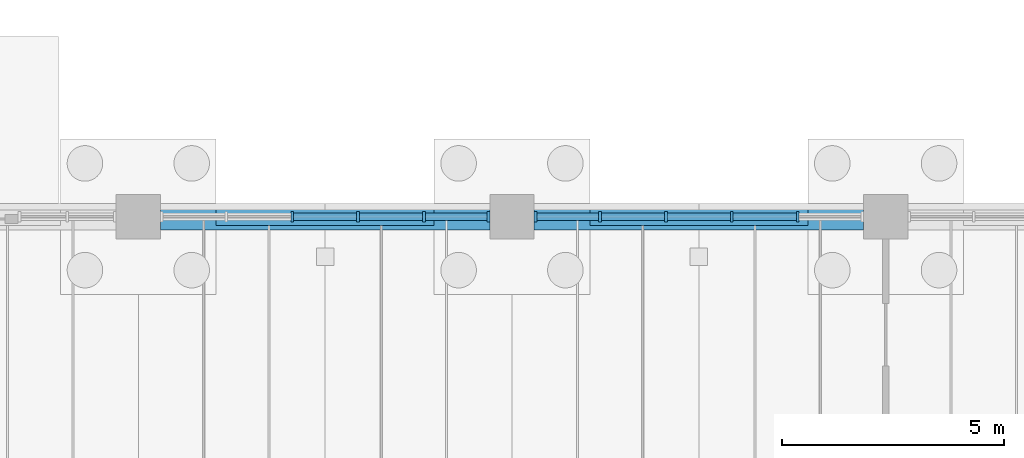
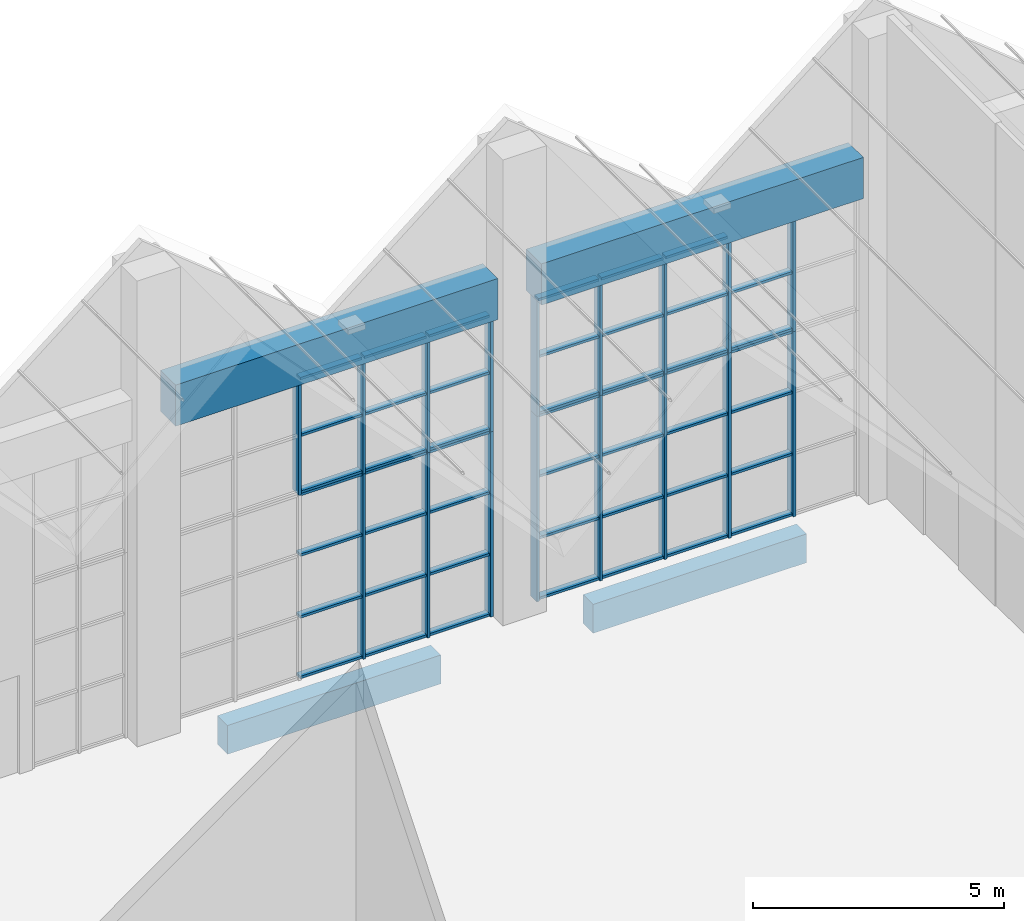
# One storey, part 56 of 138: 65 members, 4 beams, 4 elements without a shape of their own.
"""IFC4 building model written with IfcOpenShell, lengths in metres."""

from ifc_helpers import new_model, si_unit, direction, frame, origin, origin_2d, place, context, subcontext, project, spatial, rectangle, extrude, material, material_profile, profile_set, type_object, element, aggregate, save


model = new_model("IFC4")

# Units and contexts
model_context = context("Model", 3, precision=1e-05, world=origin(), true_north=direction((0.0, 1.0)))
body_context = subcontext(model_context, "Body", "Model", "MODEL_VIEW")
ifc_project = project(units=[si_unit("LENGTHUNIT", "METRE"), si_unit("AREAUNIT", "SQUARE_METRE"), si_unit("VOLUMEUNIT", "CUBIC_METRE"), si_unit("PLANEANGLEUNIT", "RADIAN"), si_unit("MASSUNIT", "GRAM", prefix="KILO")], contexts=[model_context])

# Site, building, storey
site_placement = place(None, origin())
site = spatial("IfcSite", under=ifc_project, at=site_placement, CompositionType="ELEMENT")
building_placement = place(site_placement, origin())
building = spatial("IfcBuilding", under=site, at=building_placement, Name="Yavir Park General Hospital", CompositionType="ELEMENT")
storey_placement = place(building_placement, origin())
storey = spatial("IfcBuildingStorey", under=building, at=storey_placement, Name="L00", CompositionType="ELEMENT", Elevation=0.0)

# Curtain wall, members
ifc_material_1 = material(Name="Aluminium curtain wall frame with insulated glazing", Category="aluminium")
curtain_wall_type_1 = type_object("IfcCurtainWallType", Name="Main hall glazing, lower band, 4500 high, 1400 module", PredefinedType="NOTDEFINED", material=ifc_material_1)
curtain_wall_1_placement = place(storey_placement, origin())
curtain_wall_1 = element("IfcCurtainWall", 1, at=curtain_wall_1_placement, inside=storey, type_object=curtain_wall_type_1, Name="CW33 L00-027", PredefinedType="NOTDEFINED")
ifc_material_2 = material(Name="Aluminium", Category="aluminium")
ifc_material_profile_1 = material_profile(ifc_material_2, rectangle(XDim=0.239990234375, YDim=0.06005859375, at=origin_2d()), Name="AL 60x240")
ifc_profile_set_1 = profile_set([ifc_material_profile_1], Name="Aluminium")
member_type_1 = type_object("IfcMemberType", Name="Main hall glazing, lower band, 4500 high mullion 60 x 240", PredefinedType="MULLION", material=ifc_profile_set_1)
member_1_placement = place(storey_placement, frame((88.93994140625, 67.199951171875, 0.0), z_axis=(0.0, 0.0, 1.0), x_axis=(0.0, 1.0, 0.0)))
member_1 = element("IfcMember", 2, at=member_1_placement, type_object=member_type_1, Name="CW33 mullion 4", PredefinedType="MULLION", context=body_context, shape_type="SweptSolid", body=[
    extrude(rectangle(XDim=0.239990234375, YDim=0.06005859375, at=origin_2d()), origin(), (0.0, 0.0, 1.0), 4.5),
])
member_2_placement = place(storey_placement, frame((90.419921875, 67.199951171875, 0.0), z_axis=(0.0, 0.0, 1.0), x_axis=(0.0, 1.0, 0.0)))
member_2 = element("IfcMember", 3, at=member_2_placement, type_object=member_type_1, Name="CW33 mullion 5", PredefinedType="MULLION", context=body_context, shape_type="SweptSolid", body=[
    extrude(rectangle(XDim=0.239990234375, YDim=0.06005859375, at=origin_2d()), origin(), (0.0, 0.0, 1.0), 4.5),
])
member_3_placement = place(storey_placement, frame((91.8701171875, 67.199951171875, 0.0), z_axis=(0.0, 0.0, 1.0), x_axis=(0.0, 1.0, 0.0)))
member_3 = element("IfcMember", 4, at=member_3_placement, type_object=member_type_1, Name="CW33 mullion 6", PredefinedType="MULLION", context=body_context, shape_type="SweptSolid", body=[
    extrude(rectangle(XDim=0.239990234375, YDim=0.06005859375, at=origin_2d()), origin(), (0.0, 0.0, 1.0), 4.5),
])

curtain_wall_2_placement = place(storey_placement, origin())
curtain_wall_2 = element("IfcCurtainWall", 5, at=curtain_wall_2_placement, inside=storey, type_object=curtain_wall_type_1, Name="CW33 L00-029", PredefinedType="NOTDEFINED")
member_4_placement = place(storey_placement, frame((92.929931640625, 67.199951171875, 0.0), z_axis=(0.0, 0.0, 1.0), x_axis=(0.0, 1.0, 0.0)))
member_4 = element("IfcMember", 6, at=member_4_placement, type_object=member_type_1, Name="CW33 mullion 1", PredefinedType="MULLION", context=body_context, shape_type="SweptSolid", body=[
    extrude(rectangle(XDim=0.239990234375, YDim=0.06005859375, at=origin_2d()), origin(), (0.0, 0.0, 1.0), 4.5),
])
member_5_placement = place(storey_placement, frame((94.3798828125, 67.199951171875, 0.0), z_axis=(0.0, 0.0, 1.0), x_axis=(0.0, 1.0, 0.0)))
member_5 = element("IfcMember", 7, at=member_5_placement, type_object=member_type_1, Name="CW33 mullion 2", PredefinedType="MULLION", context=body_context, shape_type="SweptSolid", body=[
    extrude(rectangle(XDim=0.239990234375, YDim=0.06005859375, at=origin_2d()), origin(), (0.0, 0.0, 1.0), 4.5),
])
member_6_placement = place(storey_placement, frame((95.860107421875, 67.199951171875, 0.0), z_axis=(0.0, 0.0, 1.0), x_axis=(0.0, 1.0, 0.0)))
member_6 = element("IfcMember", 8, at=member_6_placement, type_object=member_type_1, Name="CW33 mullion 3", PredefinedType="MULLION", context=body_context, shape_type="SweptSolid", body=[
    extrude(rectangle(XDim=0.239990234375, YDim=0.06005859375, at=origin_2d()), origin(), (0.0, 0.0, 1.0), 4.5),
])
member_7_placement = place(storey_placement, frame((97.340087890625, 67.199951171875, 0.0), z_axis=(0.0, 0.0, 1.0), x_axis=(0.0, 1.0, 0.0)))
member_7 = element("IfcMember", 9, at=member_7_placement, type_object=member_type_1, Name="CW33 mullion 4", PredefinedType="MULLION", context=body_context, shape_type="SweptSolid", body=[
    extrude(rectangle(XDim=0.239990234375, YDim=0.06005859375, at=origin_2d()), origin(), (0.0, 0.0, 1.0), 4.5),
])
member_8_placement = place(storey_placement, frame((98.820068359375, 67.199951171875, 0.0), z_axis=(0.0, 0.0, 1.0), x_axis=(0.0, 1.0, 0.0)))
member_8 = element("IfcMember", 10, at=member_8_placement, type_object=member_type_1, Name="CW33 mullion 5", PredefinedType="MULLION", context=body_context, shape_type="SweptSolid", body=[
    extrude(rectangle(XDim=0.239990234375, YDim=0.06005859375, at=origin_2d()), origin(), (0.0, 0.0, 1.0), 4.5),
])

# Member
ifc_material_3 = material(Name="Aluminium", Category="aluminium")
ifc_material_profile_2 = material_profile(ifc_material_3, rectangle(XDim=0.159912109375, YDim=0.06005859375, at=origin_2d()), Name="AL 160x60")
ifc_profile_set_2 = profile_set([ifc_material_profile_2], Name="Aluminium")
member_type_2 = type_object("IfcMemberType", Name="Main hall glazing, lower band, 4500 high transom 60 x 160", PredefinedType="MULLION", material=ifc_profile_set_2)
member_9_placement = place(storey_placement, frame((87.489990234375, 67.199951171875, 0.030029296875), z_axis=(1.0, 0.0, 0.0), x_axis=(0.0, 1.0, 0.0)))
member_9 = element("IfcMember", 11, at=member_9_placement, type_object=member_type_2, Name="CW33 transom 3.1", PredefinedType="MULLION", context=body_context, shape_type="SweptSolid", body=[
    extrude(rectangle(XDim=0.159912109375, YDim=0.06005859375, at=origin_2d()), origin(), (0.0, 0.0, 1.0), 1.419921875),
])

member_10_placement = place(storey_placement, frame((87.489990234375, 67.199951171875, 1.5), z_axis=(1.0, 0.0, 0.0), x_axis=(0.0, 1.0, 0.0)))
member_10 = element("IfcMember", 12, at=member_10_placement, type_object=member_type_2, Name="CW33 transom 3.2", PredefinedType="MULLION", context=body_context, shape_type="SweptSolid", body=[
    extrude(rectangle(XDim=0.159912109375, YDim=0.06005859375, at=origin_2d()), origin(), (0.0, 0.0, 1.0), 1.419921875),
])

member_11_placement = place(storey_placement, frame((87.489990234375, 67.199951171875, 3.0), z_axis=(1.0, 0.0, 0.0), x_axis=(0.0, 1.0, 0.0)))
member_11 = element("IfcMember", 13, at=member_11_placement, type_object=member_type_2, Name="CW33 transom 3.3", PredefinedType="MULLION", context=body_context, shape_type="SweptSolid", body=[
    extrude(rectangle(XDim=0.159912109375, YDim=0.06005859375, at=origin_2d()), origin(), (0.0, 0.0, 1.0), 1.419921875),
])

member_12_placement = place(storey_placement, frame((87.489990234375, 67.199951171875, 4.469970703125), z_axis=(1.0, 0.0, 0.0), x_axis=(0.0, 1.0, 0.0)))
member_12 = element("IfcMember", 14, at=member_12_placement, type_object=member_type_2, Name="CW33 transom 3.4", PredefinedType="MULLION", context=body_context, shape_type="SweptSolid", body=[
    extrude(rectangle(XDim=0.159912109375, YDim=0.06005859375, at=origin_2d()), origin(), (0.0, 0.0, 1.0), 1.419921875),
])

member_13_placement = place(storey_placement, frame((88.969970703125, 67.199951171875, 0.030029296875), z_axis=(1.0, 0.0, 0.0), x_axis=(0.0, 1.0, 0.0)))
member_13 = element("IfcMember", 15, at=member_13_placement, type_object=member_type_2, Name="CW33 transom 4.1", PredefinedType="MULLION", context=body_context, shape_type="SweptSolid", body=[
    extrude(rectangle(XDim=0.159912109375, YDim=0.06005859375, at=origin_2d()), origin(), (0.0, 0.0, 1.0), 1.419921875),
])

member_14_placement = place(storey_placement, frame((88.969970703125, 67.199951171875, 1.5), z_axis=(1.0, 0.0, 0.0), x_axis=(0.0, 1.0, 0.0)))
member_14 = element("IfcMember", 16, at=member_14_placement, type_object=member_type_2, Name="CW33 transom 4.2", PredefinedType="MULLION", context=body_context, shape_type="SweptSolid", body=[
    extrude(rectangle(XDim=0.159912109375, YDim=0.06005859375, at=origin_2d()), origin(), (0.0, 0.0, 1.0), 1.419921875),
])

member_15_placement = place(storey_placement, frame((88.969970703125, 67.199951171875, 3.0), z_axis=(1.0, 0.0, 0.0), x_axis=(0.0, 1.0, 0.0)))
member_15 = element("IfcMember", 17, at=member_15_placement, type_object=member_type_2, Name="CW33 transom 4.3", PredefinedType="MULLION", context=body_context, shape_type="SweptSolid", body=[
    extrude(rectangle(XDim=0.159912109375, YDim=0.06005859375, at=origin_2d()), origin(), (0.0, 0.0, 1.0), 1.419921875),
])

member_16_placement = place(storey_placement, frame((88.969970703125, 67.199951171875, 4.469970703125), z_axis=(1.0, 0.0, 0.0), x_axis=(0.0, 1.0, 0.0)))
member_16 = element("IfcMember", 18, at=member_16_placement, type_object=member_type_2, Name="CW33 transom 4.4", PredefinedType="MULLION", context=body_context, shape_type="SweptSolid", body=[
    extrude(rectangle(XDim=0.159912109375, YDim=0.06005859375, at=origin_2d()), origin(), (0.0, 0.0, 1.0), 1.419921875),
])

member_17_placement = place(storey_placement, frame((90.449951171875, 67.199951171875, 0.030029296875), z_axis=(1.0, 0.0, 0.0), x_axis=(0.0, 1.0, 0.0)))
member_17 = element("IfcMember", 19, at=member_17_placement, type_object=member_type_2, Name="CW33 transom 5.1", PredefinedType="MULLION", context=body_context, shape_type="SweptSolid", body=[
    extrude(rectangle(XDim=0.159912109375, YDim=0.06005859375, at=origin_2d()), origin(), (0.0, 0.0, 1.0), 1.39013671875),
])

member_18_placement = place(storey_placement, frame((90.449951171875, 67.199951171875, 1.5), z_axis=(1.0, 0.0, 0.0), x_axis=(0.0, 1.0, 0.0)))
member_18 = element("IfcMember", 20, at=member_18_placement, type_object=member_type_2, Name="CW33 transom 5.2", PredefinedType="MULLION", context=body_context, shape_type="SweptSolid", body=[
    extrude(rectangle(XDim=0.159912109375, YDim=0.06005859375, at=origin_2d()), origin(), (0.0, 0.0, 1.0), 1.39013671875),
])

member_19_placement = place(storey_placement, frame((90.449951171875, 67.199951171875, 3.0), z_axis=(1.0, 0.0, 0.0), x_axis=(0.0, 1.0, 0.0)))
member_19 = element("IfcMember", 21, at=member_19_placement, type_object=member_type_2, Name="CW33 transom 5.3", PredefinedType="MULLION", context=body_context, shape_type="SweptSolid", body=[
    extrude(rectangle(XDim=0.159912109375, YDim=0.06005859375, at=origin_2d()), origin(), (0.0, 0.0, 1.0), 1.39013671875),
])

member_20_placement = place(storey_placement, frame((90.449951171875, 67.199951171875, 4.469970703125), z_axis=(1.0, 0.0, 0.0), x_axis=(0.0, 1.0, 0.0)))
member_20 = element("IfcMember", 22, at=member_20_placement, type_object=member_type_2, Name="CW33 transom 5.4", PredefinedType="MULLION", context=body_context, shape_type="SweptSolid", body=[
    extrude(rectangle(XDim=0.159912109375, YDim=0.06005859375, at=origin_2d()), origin(), (0.0, 0.0, 1.0), 1.39013671875),
])

aggregate(curtain_wall_1, [member_1, member_2, member_3, member_9, member_10, member_11, member_12, member_13, member_14, member_15, member_16, member_17, member_18, member_19, member_20])

member_21_placement = place(storey_placement, frame((92.9599609375, 67.199951171875, 0.030029296875), z_axis=(1.0, 0.0, 0.0), x_axis=(0.0, 1.0, 0.0)))
member_21 = element("IfcMember", 23, at=member_21_placement, type_object=member_type_2, Name="CW33 transom 1.1", PredefinedType="MULLION", context=body_context, shape_type="SweptSolid", body=[
    extrude(rectangle(XDim=0.159912109375, YDim=0.06005859375, at=origin_2d()), origin(), (0.0, 0.0, 1.0), 1.39013671875),
])

member_22_placement = place(storey_placement, frame((92.9599609375, 67.199951171875, 1.5), z_axis=(1.0, 0.0, 0.0), x_axis=(0.0, 1.0, 0.0)))
member_22 = element("IfcMember", 24, at=member_22_placement, type_object=member_type_2, Name="CW33 transom 1.2", PredefinedType="MULLION", context=body_context, shape_type="SweptSolid", body=[
    extrude(rectangle(XDim=0.159912109375, YDim=0.06005859375, at=origin_2d()), origin(), (0.0, 0.0, 1.0), 1.39013671875),
])

member_23_placement = place(storey_placement, frame((92.9599609375, 67.199951171875, 3.0), z_axis=(1.0, 0.0, 0.0), x_axis=(0.0, 1.0, 0.0)))
member_23 = element("IfcMember", 25, at=member_23_placement, type_object=member_type_2, Name="CW33 transom 1.3", PredefinedType="MULLION", context=body_context, shape_type="SweptSolid", body=[
    extrude(rectangle(XDim=0.159912109375, YDim=0.06005859375, at=origin_2d()), origin(), (0.0, 0.0, 1.0), 1.39013671875),
])

member_24_placement = place(storey_placement, frame((92.9599609375, 67.199951171875, 4.469970703125), z_axis=(1.0, 0.0, 0.0), x_axis=(0.0, 1.0, 0.0)))
member_24 = element("IfcMember", 26, at=member_24_placement, type_object=member_type_2, Name="CW33 transom 1.4", PredefinedType="MULLION", context=body_context, shape_type="SweptSolid", body=[
    extrude(rectangle(XDim=0.159912109375, YDim=0.06005859375, at=origin_2d()), origin(), (0.0, 0.0, 1.0), 1.39013671875),
])

member_25_placement = place(storey_placement, frame((94.409912109375, 67.199951171875, 0.030029296875), z_axis=(1.0, 0.0, 0.0), x_axis=(0.0, 1.0, 0.0)))
member_25 = element("IfcMember", 27, at=member_25_placement, type_object=member_type_2, Name="CW33 transom 2.1", PredefinedType="MULLION", context=body_context, shape_type="SweptSolid", body=[
    extrude(rectangle(XDim=0.159912109375, YDim=0.06005859375, at=origin_2d()), origin(), (0.0, 0.0, 1.0), 1.420166015625),
])

member_26_placement = place(storey_placement, frame((94.409912109375, 67.199951171875, 1.5), z_axis=(1.0, 0.0, 0.0), x_axis=(0.0, 1.0, 0.0)))
member_26 = element("IfcMember", 28, at=member_26_placement, type_object=member_type_2, Name="CW33 transom 2.2", PredefinedType="MULLION", context=body_context, shape_type="SweptSolid", body=[
    extrude(rectangle(XDim=0.159912109375, YDim=0.06005859375, at=origin_2d()), origin(), (0.0, 0.0, 1.0), 1.420166015625),
])

member_27_placement = place(storey_placement, frame((94.409912109375, 67.199951171875, 3.0), z_axis=(1.0, 0.0, 0.0), x_axis=(0.0, 1.0, 0.0)))
member_27 = element("IfcMember", 29, at=member_27_placement, type_object=member_type_2, Name="CW33 transom 2.3", PredefinedType="MULLION", context=body_context, shape_type="SweptSolid", body=[
    extrude(rectangle(XDim=0.159912109375, YDim=0.06005859375, at=origin_2d()), origin(), (0.0, 0.0, 1.0), 1.420166015625),
])

member_28_placement = place(storey_placement, frame((94.409912109375, 67.199951171875, 4.469970703125), z_axis=(1.0, 0.0, 0.0), x_axis=(0.0, 1.0, 0.0)))
member_28 = element("IfcMember", 30, at=member_28_placement, type_object=member_type_2, Name="CW33 transom 2.4", PredefinedType="MULLION", context=body_context, shape_type="SweptSolid", body=[
    extrude(rectangle(XDim=0.159912109375, YDim=0.06005859375, at=origin_2d()), origin(), (0.0, 0.0, 1.0), 1.420166015625),
])

member_29_placement = place(storey_placement, frame((95.889892578125, 67.199951171875, 0.030029296875), z_axis=(1.0, 0.0, 0.0), x_axis=(0.0, 1.0, 0.0)))
member_29 = element("IfcMember", 31, at=member_29_placement, type_object=member_type_2, Name="CW33 transom 3.1", PredefinedType="MULLION", context=body_context, shape_type="SweptSolid", body=[
    extrude(rectangle(XDim=0.159912109375, YDim=0.06005859375, at=origin_2d()), origin(), (0.0, 0.0, 1.0), 1.420166015625),
])

member_30_placement = place(storey_placement, frame((95.889892578125, 67.199951171875, 1.5), z_axis=(1.0, 0.0, 0.0), x_axis=(0.0, 1.0, 0.0)))
member_30 = element("IfcMember", 32, at=member_30_placement, type_object=member_type_2, Name="CW33 transom 3.2", PredefinedType="MULLION", context=body_context, shape_type="SweptSolid", body=[
    extrude(rectangle(XDim=0.159912109375, YDim=0.06005859375, at=origin_2d()), origin(), (0.0, 0.0, 1.0), 1.420166015625),
])

member_31_placement = place(storey_placement, frame((95.889892578125, 67.199951171875, 3.0), z_axis=(1.0, 0.0, 0.0), x_axis=(0.0, 1.0, 0.0)))
member_31 = element("IfcMember", 33, at=member_31_placement, type_object=member_type_2, Name="CW33 transom 3.3", PredefinedType="MULLION", context=body_context, shape_type="SweptSolid", body=[
    extrude(rectangle(XDim=0.159912109375, YDim=0.06005859375, at=origin_2d()), origin(), (0.0, 0.0, 1.0), 1.420166015625),
])

member_32_placement = place(storey_placement, frame((95.889892578125, 67.199951171875, 4.469970703125), z_axis=(1.0, 0.0, 0.0), x_axis=(0.0, 1.0, 0.0)))
member_32 = element("IfcMember", 34, at=member_32_placement, type_object=member_type_2, Name="CW33 transom 3.4", PredefinedType="MULLION", context=body_context, shape_type="SweptSolid", body=[
    extrude(rectangle(XDim=0.159912109375, YDim=0.06005859375, at=origin_2d()), origin(), (0.0, 0.0, 1.0), 1.420166015625),
])

member_33_placement = place(storey_placement, frame((97.3701171875, 67.199951171875, 0.030029296875), z_axis=(1.0, 0.0, 0.0), x_axis=(0.0, 1.0, 0.0)))
member_33 = element("IfcMember", 35, at=member_33_placement, type_object=member_type_2, Name="CW33 transom 4.1", PredefinedType="MULLION", context=body_context, shape_type="SweptSolid", body=[
    extrude(rectangle(XDim=0.159912109375, YDim=0.06005859375, at=origin_2d()), origin(), (0.0, 0.0, 1.0), 1.419921875),
])

member_34_placement = place(storey_placement, frame((97.3701171875, 67.199951171875, 1.5), z_axis=(1.0, 0.0, 0.0), x_axis=(0.0, 1.0, 0.0)))
member_34 = element("IfcMember", 36, at=member_34_placement, type_object=member_type_2, Name="CW33 transom 4.2", PredefinedType="MULLION", context=body_context, shape_type="SweptSolid", body=[
    extrude(rectangle(XDim=0.159912109375, YDim=0.06005859375, at=origin_2d()), origin(), (0.0, 0.0, 1.0), 1.419921875),
])

member_35_placement = place(storey_placement, frame((97.3701171875, 67.199951171875, 3.0), z_axis=(1.0, 0.0, 0.0), x_axis=(0.0, 1.0, 0.0)))
member_35 = element("IfcMember", 37, at=member_35_placement, type_object=member_type_2, Name="CW33 transom 4.3", PredefinedType="MULLION", context=body_context, shape_type="SweptSolid", body=[
    extrude(rectangle(XDim=0.159912109375, YDim=0.06005859375, at=origin_2d()), origin(), (0.0, 0.0, 1.0), 1.419921875),
])

member_36_placement = place(storey_placement, frame((97.3701171875, 67.199951171875, 4.469970703125), z_axis=(1.0, 0.0, 0.0), x_axis=(0.0, 1.0, 0.0)))
member_36 = element("IfcMember", 38, at=member_36_placement, type_object=member_type_2, Name="CW33 transom 4.4", PredefinedType="MULLION", context=body_context, shape_type="SweptSolid", body=[
    extrude(rectangle(XDim=0.159912109375, YDim=0.06005859375, at=origin_2d()), origin(), (0.0, 0.0, 1.0), 1.419921875),
])

aggregate(curtain_wall_2, [member_4, member_5, member_6, member_7, member_8, member_21, member_22, member_23, member_24, member_25, member_26, member_27, member_28, member_29, member_30, member_31, member_32, member_33, member_34, member_35, member_36])

# Curtain wall, members
ifc_material_4 = material(Name="Aluminium curtain wall frame with insulated glazing", Category="aluminium")
curtain_wall_type_2 = type_object("IfcCurtainWallType", Name="Main hall glazing, upper band, 2817 high, 1400 module", PredefinedType="NOTDEFINED", material=ifc_material_4)
curtain_wall_3_placement = place(storey_placement, origin())
curtain_wall_3 = element("IfcCurtainWall", 39, at=curtain_wall_3_placement, inside=storey, type_object=curtain_wall_type_2, Name="CW34 L00-028", PredefinedType="NOTDEFINED")
ifc_material_5 = material(Name="Aluminium", Category="aluminium")
ifc_material_profile_3 = material_profile(ifc_material_5, rectangle(XDim=0.239990234375, YDim=0.06005859375, at=origin_2d()), Name="AL 60x240")
ifc_profile_set_3 = profile_set([ifc_material_profile_3], Name="Aluminium")
member_type_3 = type_object("IfcMemberType", Name="Main hall glazing, upper band, 2817 high mullion 60 x 240", PredefinedType="MULLION", material=ifc_profile_set_3)
member_37_placement = place(storey_placement, frame((87.4599609375, 67.199951171875, 4.5), z_axis=(0.0, 0.0, 1.0), x_axis=(0.0, 1.0, 0.0)))
member_37 = element("IfcMember", 40, at=member_37_placement, type_object=member_type_3, Name="CW34 mullion 3", PredefinedType="MULLION", context=body_context, shape_type="SweptSolid", body=[
    extrude(rectangle(XDim=0.239990234375, YDim=0.06005859375, at=origin_2d()), origin(), (0.0, 0.0, 1.0), 2.81689453125),
])
member_38_placement = place(storey_placement, frame((88.93994140625, 67.199951171875, 4.5), z_axis=(0.0, 0.0, 1.0), x_axis=(0.0, 1.0, 0.0)))
member_38 = element("IfcMember", 41, at=member_38_placement, type_object=member_type_3, Name="CW34 mullion 4", PredefinedType="MULLION", context=body_context, shape_type="SweptSolid", body=[
    extrude(rectangle(XDim=0.239990234375, YDim=0.06005859375, at=origin_2d()), origin(), (0.0, 0.0, 1.0), 2.81689453125),
])
member_39_placement = place(storey_placement, frame((90.419921875, 67.199951171875, 4.5), z_axis=(0.0, 0.0, 1.0), x_axis=(0.0, 1.0, 0.0)))
member_39 = element("IfcMember", 42, at=member_39_placement, type_object=member_type_3, Name="CW34 mullion 5", PredefinedType="MULLION", context=body_context, shape_type="SweptSolid", body=[
    extrude(rectangle(XDim=0.239990234375, YDim=0.06005859375, at=origin_2d()), origin(), (0.0, 0.0, 1.0), 2.81689453125),
])
member_40_placement = place(storey_placement, frame((91.8701171875, 67.199951171875, 4.5), z_axis=(0.0, 0.0, 1.0), x_axis=(0.0, 1.0, 0.0)))
member_40 = element("IfcMember", 43, at=member_40_placement, type_object=member_type_3, Name="CW34 mullion 6", PredefinedType="MULLION", context=body_context, shape_type="SweptSolid", body=[
    extrude(rectangle(XDim=0.239990234375, YDim=0.06005859375, at=origin_2d()), origin(), (0.0, 0.0, 1.0), 2.81689453125),
])

curtain_wall_4_placement = place(storey_placement, origin())
curtain_wall_4 = element("IfcCurtainWall", 44, at=curtain_wall_4_placement, inside=storey, type_object=curtain_wall_type_2, Name="CW34 L00-030", PredefinedType="NOTDEFINED")
member_41_placement = place(storey_placement, frame((92.929931640625, 67.199951171875, 4.5), z_axis=(0.0, 0.0, 1.0), x_axis=(0.0, 1.0, 0.0)))
member_41 = element("IfcMember", 45, at=member_41_placement, type_object=member_type_3, Name="CW34 mullion 1", PredefinedType="MULLION", context=body_context, shape_type="SweptSolid", body=[
    extrude(rectangle(XDim=0.239990234375, YDim=0.06005859375, at=origin_2d()), origin(), (0.0, 0.0, 1.0), 2.81689453125),
])
member_42_placement = place(storey_placement, frame((94.3798828125, 67.199951171875, 4.5), z_axis=(0.0, 0.0, 1.0), x_axis=(0.0, 1.0, 0.0)))
member_42 = element("IfcMember", 46, at=member_42_placement, type_object=member_type_3, Name="CW34 mullion 2", PredefinedType="MULLION", context=body_context, shape_type="SweptSolid", body=[
    extrude(rectangle(XDim=0.239990234375, YDim=0.06005859375, at=origin_2d()), origin(), (0.0, 0.0, 1.0), 2.81689453125),
])
member_43_placement = place(storey_placement, frame((95.860107421875, 67.199951171875, 4.5), z_axis=(0.0, 0.0, 1.0), x_axis=(0.0, 1.0, 0.0)))
member_43 = element("IfcMember", 47, at=member_43_placement, type_object=member_type_3, Name="CW34 mullion 3", PredefinedType="MULLION", context=body_context, shape_type="SweptSolid", body=[
    extrude(rectangle(XDim=0.239990234375, YDim=0.06005859375, at=origin_2d()), origin(), (0.0, 0.0, 1.0), 2.81689453125),
])
member_44_placement = place(storey_placement, frame((97.340087890625, 67.199951171875, 4.5), z_axis=(0.0, 0.0, 1.0), x_axis=(0.0, 1.0, 0.0)))
member_44 = element("IfcMember", 48, at=member_44_placement, type_object=member_type_3, Name="CW34 mullion 4", PredefinedType="MULLION", context=body_context, shape_type="SweptSolid", body=[
    extrude(rectangle(XDim=0.239990234375, YDim=0.06005859375, at=origin_2d()), origin(), (0.0, 0.0, 1.0), 2.81689453125),
])
member_45_placement = place(storey_placement, frame((98.820068359375, 67.199951171875, 4.5), z_axis=(0.0, 0.0, 1.0), x_axis=(0.0, 1.0, 0.0)))
member_45 = element("IfcMember", 49, at=member_45_placement, type_object=member_type_3, Name="CW34 mullion 5", PredefinedType="MULLION", context=body_context, shape_type="SweptSolid", body=[
    extrude(rectangle(XDim=0.239990234375, YDim=0.06005859375, at=origin_2d()), origin(), (0.0, 0.0, 1.0), 2.81689453125),
])

# Member
ifc_material_6 = material(Name="Aluminium", Category="aluminium")
ifc_material_profile_4 = material_profile(ifc_material_6, rectangle(XDim=0.159912109375, YDim=0.06005859375, at=origin_2d()), Name="AL 160x60")
ifc_profile_set_4 = profile_set([ifc_material_profile_4], Name="Aluminium")
member_type_4 = type_object("IfcMemberType", Name="Main hall glazing, upper band, 2817 high transom 60 x 160", PredefinedType="MULLION", material=ifc_profile_set_4)
member_46_placement = place(storey_placement, frame((87.489990234375, 67.199951171875, 4.530029296875), z_axis=(1.0, 0.0, 0.0), x_axis=(0.0, 1.0, 0.0)))
member_46 = element("IfcMember", 50, at=member_46_placement, type_object=member_type_4, Name="CW34 transom 3.1", PredefinedType="MULLION", context=body_context, shape_type="SweptSolid", body=[
    extrude(rectangle(XDim=0.159912109375, YDim=0.06005859375, at=origin_2d()), origin(), (0.0, 0.0, 1.0), 1.419921875),
])

member_47_placement = place(storey_placement, frame((87.489990234375, 67.199951171875, 5.908447265625), z_axis=(1.0, 0.0, 0.0), x_axis=(0.0, 1.0, 0.0)))
member_47 = element("IfcMember", 51, at=member_47_placement, type_object=member_type_4, Name="CW34 transom 3.2", PredefinedType="MULLION", context=body_context, shape_type="SweptSolid", body=[
    extrude(rectangle(XDim=0.159912109375, YDim=0.06005859375, at=origin_2d()), origin(), (0.0, 0.0, 1.0), 1.419921875),
])

member_48_placement = place(storey_placement, frame((87.489990234375, 67.199951171875, 7.287109375), z_axis=(1.0, 0.0, 0.0), x_axis=(0.0, 1.0, 0.0)))
member_48 = element("IfcMember", 52, at=member_48_placement, type_object=member_type_4, Name="CW34 transom 3.3", PredefinedType="MULLION", context=body_context, shape_type="SweptSolid", body=[
    extrude(rectangle(XDim=0.159912109375, YDim=0.06005859375, at=origin_2d()), origin(), (0.0, 0.0, 1.0), 1.419921875),
])

member_49_placement = place(storey_placement, frame((88.969970703125, 67.199951171875, 4.530029296875), z_axis=(1.0, 0.0, 0.0), x_axis=(0.0, 1.0, 0.0)))
member_49 = element("IfcMember", 53, at=member_49_placement, type_object=member_type_4, Name="CW34 transom 4.1", PredefinedType="MULLION", context=body_context, shape_type="SweptSolid", body=[
    extrude(rectangle(XDim=0.159912109375, YDim=0.06005859375, at=origin_2d()), origin(), (0.0, 0.0, 1.0), 1.419921875),
])

member_50_placement = place(storey_placement, frame((88.969970703125, 67.199951171875, 5.908447265625), z_axis=(1.0, 0.0, 0.0), x_axis=(0.0, 1.0, 0.0)))
member_50 = element("IfcMember", 54, at=member_50_placement, type_object=member_type_4, Name="CW34 transom 4.2", PredefinedType="MULLION", context=body_context, shape_type="SweptSolid", body=[
    extrude(rectangle(XDim=0.159912109375, YDim=0.06005859375, at=origin_2d()), origin(), (0.0, 0.0, 1.0), 1.419921875),
])

member_51_placement = place(storey_placement, frame((88.969970703125, 67.199951171875, 7.287109375), z_axis=(1.0, 0.0, 0.0), x_axis=(0.0, 1.0, 0.0)))
member_51 = element("IfcMember", 55, at=member_51_placement, type_object=member_type_4, Name="CW34 transom 4.3", PredefinedType="MULLION", context=body_context, shape_type="SweptSolid", body=[
    extrude(rectangle(XDim=0.159912109375, YDim=0.06005859375, at=origin_2d()), origin(), (0.0, 0.0, 1.0), 1.419921875),
])

member_52_placement = place(storey_placement, frame((90.449951171875, 67.199951171875, 4.530029296875), z_axis=(1.0, 0.0, 0.0), x_axis=(0.0, 1.0, 0.0)))
member_52 = element("IfcMember", 56, at=member_52_placement, type_object=member_type_4, Name="CW34 transom 5.1", PredefinedType="MULLION", context=body_context, shape_type="SweptSolid", body=[
    extrude(rectangle(XDim=0.159912109375, YDim=0.06005859375, at=origin_2d()), origin(), (0.0, 0.0, 1.0), 1.39013671875),
])

member_53_placement = place(storey_placement, frame((90.449951171875, 67.199951171875, 5.908447265625), z_axis=(1.0, 0.0, 0.0), x_axis=(0.0, 1.0, 0.0)))
member_53 = element("IfcMember", 57, at=member_53_placement, type_object=member_type_4, Name="CW34 transom 5.2", PredefinedType="MULLION", context=body_context, shape_type="SweptSolid", body=[
    extrude(rectangle(XDim=0.159912109375, YDim=0.06005859375, at=origin_2d()), origin(), (0.0, 0.0, 1.0), 1.39013671875),
])

member_54_placement = place(storey_placement, frame((90.449951171875, 67.199951171875, 7.287109375), z_axis=(1.0, 0.0, 0.0), x_axis=(0.0, 1.0, 0.0)))
member_54 = element("IfcMember", 58, at=member_54_placement, type_object=member_type_4, Name="CW34 transom 5.3", PredefinedType="MULLION", context=body_context, shape_type="SweptSolid", body=[
    extrude(rectangle(XDim=0.159912109375, YDim=0.06005859375, at=origin_2d()), origin(), (0.0, 0.0, 1.0), 1.39013671875),
])

aggregate(curtain_wall_3, [member_37, member_38, member_39, member_40, member_46, member_47, member_48, member_49, member_50, member_51, member_52, member_53, member_54])

member_55_placement = place(storey_placement, frame((92.9599609375, 67.199951171875, 4.530029296875), z_axis=(1.0, 0.0, 0.0), x_axis=(0.0, 1.0, 0.0)))
member_55 = element("IfcMember", 59, at=member_55_placement, type_object=member_type_4, Name="CW34 transom 1.1", PredefinedType="MULLION", context=body_context, shape_type="SweptSolid", body=[
    extrude(rectangle(XDim=0.159912109375, YDim=0.06005859375, at=origin_2d()), origin(), (0.0, 0.0, 1.0), 1.39013671875),
])

member_56_placement = place(storey_placement, frame((92.9599609375, 67.199951171875, 5.908447265625), z_axis=(1.0, 0.0, 0.0), x_axis=(0.0, 1.0, 0.0)))
member_56 = element("IfcMember", 60, at=member_56_placement, type_object=member_type_4, Name="CW34 transom 1.2", PredefinedType="MULLION", context=body_context, shape_type="SweptSolid", body=[
    extrude(rectangle(XDim=0.159912109375, YDim=0.06005859375, at=origin_2d()), origin(), (0.0, 0.0, 1.0), 1.39013671875),
])

member_57_placement = place(storey_placement, frame((92.9599609375, 67.199951171875, 7.287109375), z_axis=(1.0, 0.0, 0.0), x_axis=(0.0, 1.0, 0.0)))
member_57 = element("IfcMember", 61, at=member_57_placement, type_object=member_type_4, Name="CW34 transom 1.3", PredefinedType="MULLION", context=body_context, shape_type="SweptSolid", body=[
    extrude(rectangle(XDim=0.159912109375, YDim=0.06005859375, at=origin_2d()), origin(), (0.0, 0.0, 1.0), 1.39013671875),
])

member_58_placement = place(storey_placement, frame((94.409912109375, 67.199951171875, 4.530029296875), z_axis=(1.0, 0.0, 0.0), x_axis=(0.0, 1.0, 0.0)))
member_58 = element("IfcMember", 62, at=member_58_placement, type_object=member_type_4, Name="CW34 transom 2.1", PredefinedType="MULLION", context=body_context, shape_type="SweptSolid", body=[
    extrude(rectangle(XDim=0.159912109375, YDim=0.06005859375, at=origin_2d()), origin(), (0.0, 0.0, 1.0), 1.420166015625),
])

member_59_placement = place(storey_placement, frame((94.409912109375, 67.199951171875, 5.908447265625), z_axis=(1.0, 0.0, 0.0), x_axis=(0.0, 1.0, 0.0)))
member_59 = element("IfcMember", 63, at=member_59_placement, type_object=member_type_4, Name="CW34 transom 2.2", PredefinedType="MULLION", context=body_context, shape_type="SweptSolid", body=[
    extrude(rectangle(XDim=0.159912109375, YDim=0.06005859375, at=origin_2d()), origin(), (0.0, 0.0, 1.0), 1.420166015625),
])

member_60_placement = place(storey_placement, frame((94.409912109375, 67.199951171875, 7.287109375), z_axis=(1.0, 0.0, 0.0), x_axis=(0.0, 1.0, 0.0)))
member_60 = element("IfcMember", 64, at=member_60_placement, type_object=member_type_4, Name="CW34 transom 2.3", PredefinedType="MULLION", context=body_context, shape_type="SweptSolid", body=[
    extrude(rectangle(XDim=0.159912109375, YDim=0.06005859375, at=origin_2d()), origin(), (0.0, 0.0, 1.0), 1.420166015625),
])

member_61_placement = place(storey_placement, frame((95.889892578125, 67.199951171875, 4.530029296875), z_axis=(1.0, 0.0, 0.0), x_axis=(0.0, 1.0, 0.0)))
member_61 = element("IfcMember", 65, at=member_61_placement, type_object=member_type_4, Name="CW34 transom 3.1", PredefinedType="MULLION", context=body_context, shape_type="SweptSolid", body=[
    extrude(rectangle(XDim=0.159912109375, YDim=0.06005859375, at=origin_2d()), origin(), (0.0, 0.0, 1.0), 1.420166015625),
])

member_62_placement = place(storey_placement, frame((95.889892578125, 67.199951171875, 5.908447265625), z_axis=(1.0, 0.0, 0.0), x_axis=(0.0, 1.0, 0.0)))
member_62 = element("IfcMember", 66, at=member_62_placement, type_object=member_type_4, Name="CW34 transom 3.2", PredefinedType="MULLION", context=body_context, shape_type="SweptSolid", body=[
    extrude(rectangle(XDim=0.159912109375, YDim=0.06005859375, at=origin_2d()), origin(), (0.0, 0.0, 1.0), 1.420166015625),
])

member_63_placement = place(storey_placement, frame((95.889892578125, 67.199951171875, 7.287109375), z_axis=(1.0, 0.0, 0.0), x_axis=(0.0, 1.0, 0.0)))
member_63 = element("IfcMember", 67, at=member_63_placement, type_object=member_type_4, Name="CW34 transom 3.3", PredefinedType="MULLION", context=body_context, shape_type="SweptSolid", body=[
    extrude(rectangle(XDim=0.159912109375, YDim=0.06005859375, at=origin_2d()), origin(), (0.0, 0.0, 1.0), 1.420166015625),
])

member_64_placement = place(storey_placement, frame((97.3701171875, 67.199951171875, 4.530029296875), z_axis=(1.0, 0.0, 0.0), x_axis=(0.0, 1.0, 0.0)))
member_64 = element("IfcMember", 68, at=member_64_placement, type_object=member_type_4, Name="CW34 transom 4.1", PredefinedType="MULLION", context=body_context, shape_type="SweptSolid", body=[
    extrude(rectangle(XDim=0.159912109375, YDim=0.06005859375, at=origin_2d()), origin(), (0.0, 0.0, 1.0), 1.419921875),
])

member_65_placement = place(storey_placement, frame((97.3701171875, 67.199951171875, 5.908447265625), z_axis=(1.0, 0.0, 0.0), x_axis=(0.0, 1.0, 0.0)))
member_65 = element("IfcMember", 69, at=member_65_placement, type_object=member_type_4, Name="CW34 transom 4.2", PredefinedType="MULLION", context=body_context, shape_type="SweptSolid", body=[
    extrude(rectangle(XDim=0.159912109375, YDim=0.06005859375, at=origin_2d()), origin(), (0.0, 0.0, 1.0), 1.419921875),
])

aggregate(curtain_wall_4, [member_41, member_42, member_43, member_44, member_45, member_55, member_56, member_57, member_58, member_59, member_60, member_61, member_62, member_63, member_64, member_65])

# Beams
ifc_material_7 = material(Name="Concrete C35/45", Category="concrete")
ifc_material_profile_5 = material_profile(ifc_material_7, rectangle(XDim=0.39990234375, YDim=0.699951171875, at=origin_2d()), Name="RC400x700")
ifc_profile_set_5 = profile_set([ifc_material_profile_5], Name="Concrete C35/45")
beam_type_1 = type_object("IfcBeamType", Name="RC BEAM 400x700 ground beam", PredefinedType="BEAM", material=ifc_profile_set_5)
beam_1_placement = place(storey_placement, frame((85.75, 67.199951171875, -0.800048828125), z_axis=(1.0, 0.0, 0.0), x_axis=(0.0, 1.0, 0.0)))
element("IfcBeam", 70, at=beam_1_placement, inside=storey, type_object=beam_type_1, Name="B:GND:L00:11J:L00:12J", PredefinedType="BEAM", context=body_context, shape_type="SweptSolid", body=[
    extrude(rectangle(XDim=0.39990234375, YDim=0.699951171875, at=origin_2d()), origin(), (0.0, 0.0, 1.0), 4.89990234375),
])
beam_2_placement = place(storey_placement, frame((94.14990234375, 67.199951171875, -0.800048828125), z_axis=(1.0, 0.0, 0.0), x_axis=(0.0, 1.0, 0.0)))
element("IfcBeam", 71, at=beam_2_placement, inside=storey, type_object=beam_type_1, Name="B:GND:L00:12J:L00:13J", PredefinedType="BEAM", context=body_context, shape_type="SweptSolid", body=[
    extrude(rectangle(XDim=0.39990234375, YDim=0.699951171875, at=origin_2d()), origin(), (0.0, 0.0, 1.0), 4.900146484375),
])
ifc_material_8 = material(Name="Concrete C35/45", Category="concrete")
ifc_material_profile_6 = material_profile(ifc_material_8, rectangle(XDim=0.60009765625, YDim=1.0, at=origin_2d()), Name="RC600x1000")
ifc_profile_set_6 = profile_set([ifc_material_profile_6], Name="Concrete C35/45")
beam_type_2 = type_object("IfcBeamType", Name="RC BEAM 600x1000 hall end girder", PredefinedType="BEAM", material=ifc_profile_set_6)
beam_3_placement = place(storey_placement, frame((84.5, 67.199951171875, 7.81689453125), z_axis=(1.0, 0.0, 0.0), x_axis=(0.0, 1.0, 0.0)))
element("IfcBeam", 72, at=beam_3_placement, inside=storey, type_object=beam_type_2, Name="B:HALL:END:N1", PredefinedType="BEAM", context=body_context, shape_type="SweptSolid", body=[
    extrude(rectangle(XDim=0.60009765625, YDim=1.0, at=origin_2d()), origin(), (0.0, 0.0, 1.0), 7.39990234375),
])
beam_4_placement = place(storey_placement, frame((92.89990234375, 67.199951171875, 7.81689453125), z_axis=(1.0, 0.0, 0.0), x_axis=(0.0, 1.0, 0.0)))
element("IfcBeam", 73, at=beam_4_placement, inside=storey, type_object=beam_type_2, Name="B:HALL:END:N2", PredefinedType="BEAM", context=body_context, shape_type="SweptSolid", body=[
    extrude(rectangle(XDim=0.60009765625, YDim=1.0, at=origin_2d()), origin(), (0.0, 0.0, 1.0), 7.400146484375),
])

save(model, "model.ifc")
